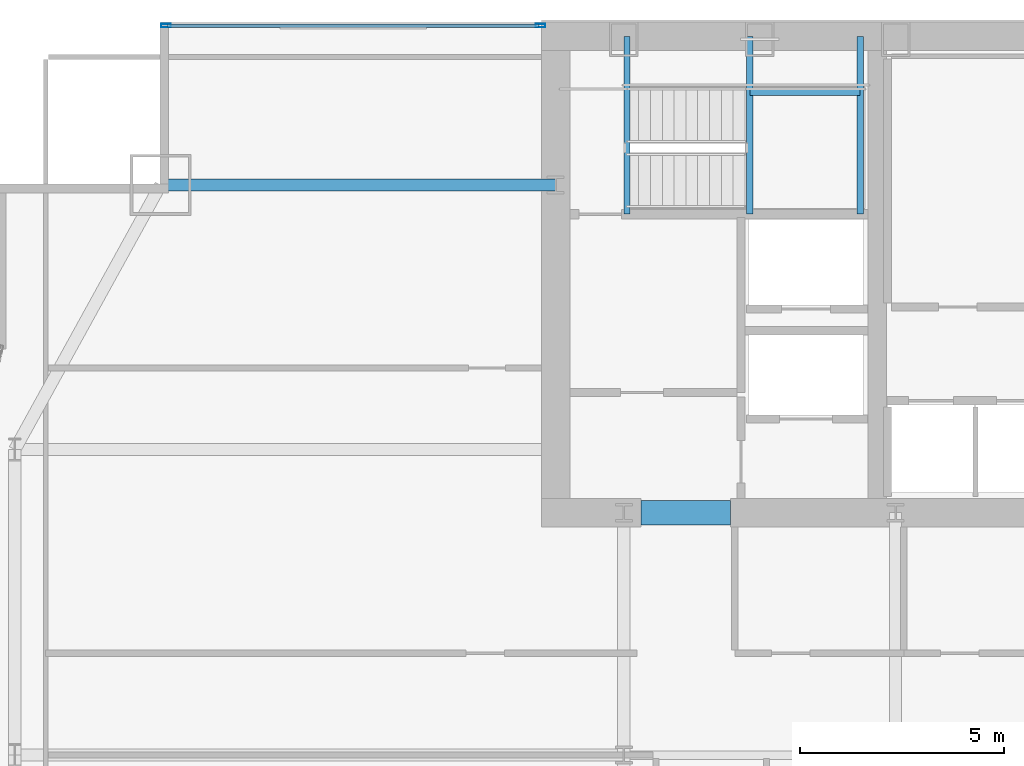
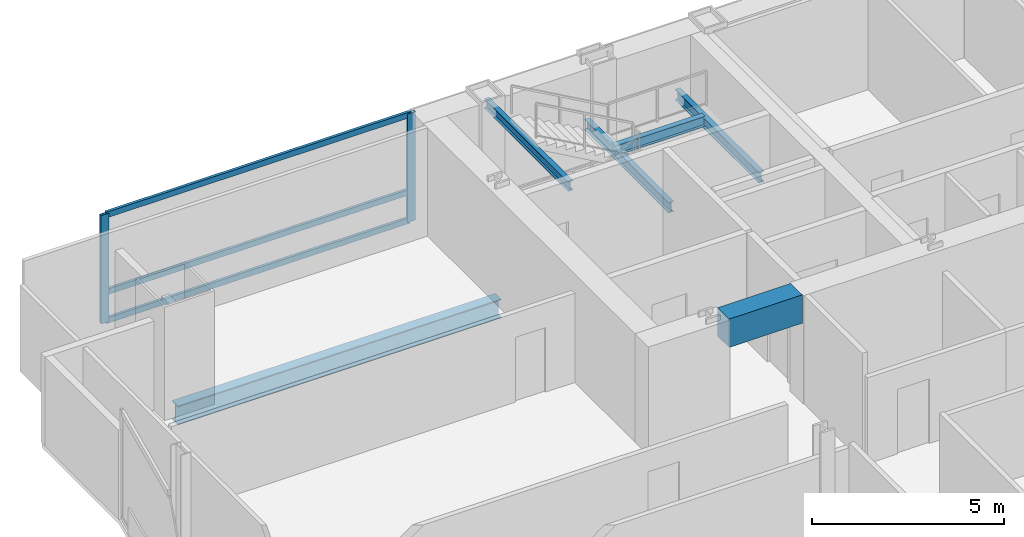
# One storey, part 18 of 33: 6 beams, 5 members, 1 element without a shape of its own.
"""IFC4 building model written with IfcOpenShell, lengths in metres."""

from ifc_helpers import new_model, si_unit, direction, frame, origin, origin_2d, place, context, subcontext, project, spatial, rectangle, hollow_rectangle, i_section, extrude, material, material_profile, profile_set, type_object, element, aggregate, save


model = new_model("IFC4")

# Units and contexts
model_context = context("Model", 3, precision=1e-05, world=origin(), true_north=direction((0.0, 1.0)))
body_context = subcontext(model_context, "Body", "Model", "MODEL_VIEW")
ifc_project = project(units=[si_unit("LENGTHUNIT", "METRE"), si_unit("AREAUNIT", "SQUARE_METRE"), si_unit("VOLUMEUNIT", "CUBIC_METRE"), si_unit("PLANEANGLEUNIT", "RADIAN"), si_unit("MASSUNIT", "GRAM", prefix="KILO")], contexts=[model_context])

# Site, building, storey
site_placement = place(None, origin())
site = spatial("IfcSite", under=ifc_project, at=site_placement, CompositionType="ELEMENT")
building_placement = place(site_placement, origin())
building = spatial("IfcBuilding", under=site, at=building_placement, Name="Khoronbel Lancet Exchange", CompositionType="ELEMENT")
storey_placement = place(building_placement, frame((0.0, 0.0, 114.60009765625)))
storey = spatial("IfcBuildingStorey", under=building, at=storey_placement, Name="L27", CompositionType="ELEMENT", Elevation=114.60009765625)

# Beams
ifc_material_1 = material(Name="Steel S355", Category="steel")
ifc_material_profile_1 = material_profile(ifc_material_1, i_section(OverallWidth=0.159912109375, OverallDepth=0.330078125, WebThickness=0.007568359375, FlangeThickness=0.011474609375, at=origin_2d()), Name="IPE 330")
ifc_profile_set_1 = profile_set([ifc_material_profile_1], Name="Steel S355")
beam_type_1 = type_object("IfcBeamType", Name="BM-BJ7", PredefinedType="JOIST", material=ifc_profile_set_1)
for number, where, z_axis, x_axis, name in (
    (1, (21.320068359375, 48.97998046875, 1.434814453125), (0.0, 1.0, 0.0), (-1.0, 0.0, 0.0), "Level L27 stair ST1 landing bearer beam 1"),
    (2, (24.030029296875, 48.97998046875, 1.434814453125), (0.0, 1.0, 0.0), (-1.0, 0.0, 0.0), "Level L27 stair ST1 rear landing bearer beam 1"),
):
    element("IfcBeam", number, at=place(storey_placement, frame(where, z_axis=z_axis, x_axis=x_axis)), inside=storey, type_object=beam_type_1, Name=name, PredefinedType="JOIST", context=body_context, shape_type="SweptSolid", body=[
        extrude(i_section(OverallWidth=0.159912109375, OverallDepth=0.330078125, WebThickness=0.007568359375, FlangeThickness=0.011474609375, at=origin_2d()), origin(), (0.0, 0.0, 1.0), 4.3701171875),
    ])
beam_1_placement = place(storey_placement, frame((21.320068359375, 51.97998046875, 1.434814453125), z_axis=(1.0, 0.0, 0.0), x_axis=(0.0, 1.0, 0.0)))
element("IfcBeam", 3, at=beam_1_placement, inside=storey, type_object=beam_type_1, Name="Level L27 stair ST1 landing cross trimmer beam 1", PredefinedType="JOIST", context=body_context, shape_type="SweptSolid", body=[
    extrude(i_section(OverallWidth=0.159912109375, OverallDepth=0.330078125, WebThickness=0.007568359375, FlangeThickness=0.011474609375, at=origin_2d()), origin(), (0.0, 0.0, 1.0), 2.7099609375),
])
ifc_material_profile_2 = material_profile(ifc_material_1, i_section(OverallWidth=0.14990234375, OverallDepth=0.300048828125, WebThickness=0.007080078125, FlangeThickness=0.0107421875, at=origin_2d()), Name="IPE 300")
ifc_profile_set_2 = profile_set([ifc_material_profile_2], Name="Steel S355")
beam_type_2 = type_object("IfcBeamType", Name="BM-BJ8", PredefinedType="JOIST", material=ifc_profile_set_2)
beam_2_placement = place(storey_placement, frame((18.300048828125, 48.97998046875, 3.159912109375), z_axis=(0.0, 1.0, 0.0), x_axis=(-1.0, 0.0, 0.0)))
element("IfcBeam", 4, at=beam_2_placement, inside=storey, type_object=beam_type_2, Name="Level L27 stair ST1 upper-flight arrival trimmer beam", PredefinedType="JOIST", context=body_context, shape_type="SweptSolid", body=[
    extrude(i_section(OverallWidth=0.14990234375, OverallDepth=0.300048828125, WebThickness=0.007080078125, FlangeThickness=0.0107421875, at=origin_2d()), origin(), (0.0, 0.0, 1.0), 4.3701171875),
])
ifc_material_2 = material(Name="Concrete C80/95", Category="concrete")
ifc_material_profile_3 = material_profile(ifc_material_2, rectangle(XDim=0.60009765625, YDim=0.89990234375, at=origin_2d()), Name="RC 600x900")
ifc_profile_set_3 = profile_set([ifc_material_profile_3], Name="Concrete C80/95")
beam_type_3 = type_object("IfcBeamType", Name="BM-BL1", PredefinedType="LINTEL", material=ifc_profile_set_3)
beam_3_placement = place(storey_placement, frame((18.64990234375, 41.64990234375, 2.989990234375), z_axis=(1.0, 0.0, 0.0), x_axis=(0.0, 1.0, 0.0)))
element("IfcBeam", 5, at=beam_3_placement, inside=storey, type_object=beam_type_3, Name="Level L27 rear core coupling lintel L1", PredefinedType="LINTEL", context=body_context, shape_type="SweptSolid", body=[
    extrude(rectangle(XDim=0.60009765625, YDim=0.89990234375, at=origin_2d()), origin(), (0.0, 0.0, 1.0), 2.2001953125),
])
ifc_material_profile_4 = material_profile(ifc_material_1, i_section(OverallWidth=0.300048828125, OverallDepth=0.60009765625, WebThickness=0.015380859375, FlangeThickness=0.030029296875, at=origin_2d()), Name="HEB 600")
ifc_profile_set_4 = profile_set([ifc_material_profile_4], Name="Steel S355")
beam_type_4 = type_object("IfcBeamType", Name="BM-BSP2", PredefinedType="SPANDREL", material=ifc_profile_set_4)
beam_4_placement = place(storey_placement, frame((6.85009765625, 49.699951171875, -0.460205078125), z_axis=(1.0, 0.0, 0.0), x_axis=(0.0, 1.0, 0.0)))
element("IfcBeam", 6, at=beam_4_placement, inside=storey, type_object=beam_type_4, Name="Level L27 north flank tie spandrel SP22", PredefinedType="SPANDREL", context=body_context, shape_type="SweptSolid", body=[
    extrude(i_section(OverallWidth=0.300048828125, OverallDepth=0.60009765625, WebThickness=0.015380859375, FlangeThickness=0.030029296875, at=origin_2d()), origin(), (0.0, 0.0, 1.0), 9.699951171875),
])

# Curtain wall, members
ifc_material_3 = material(Name="Low-E Solar Control Insulating Glass", Category="glass")
curtain_wall_type = type_object("IfcCurtainWallType", Name="CW-2", PredefinedType="NOTDEFINED", material=ifc_material_3)
curtain_wall_placement = place(storey_placement, origin())
curtain_wall = element("IfcCurtainWall", 7, at=curtain_wall_placement, inside=storey, type_object=curtain_wall_type, Name="Unitised curtain wall CW-L27-NWFLK", PredefinedType="NOTDEFINED")
ifc_material_4 = material(Name="Bronze-Anodised Aluminium 6063-T6", Category="aluminium")
ifc_material_profile_5 = material_profile(ifc_material_4, hollow_rectangle(XDim=0.0849609375, YDim=0.239990234375, WallThickness=0.006103515625, at=origin_2d()), Name="ALU MULLION 85x240")
ifc_profile_set_5 = profile_set([ifc_material_profile_5], Name="Bronze-Anodised Aluminium 6063-T6")
member_type_1 = type_object("IfcMemberType", Name="MEM-CWM1", PredefinedType="MULLION", material=ifc_profile_set_5)
member_1_placement = place(storey_placement, frame((16.177490234375, 53.610107421875, 0.0), z_axis=(0.0, 0.0, 1.0), x_axis=(0.0, -1.0, 0.0)))
member_1 = element("IfcMember", 8, at=member_1_placement, type_object=member_type_1, Name="CW2 mullion 1", PredefinedType="MULLION", context=body_context, shape_type="SweptSolid", body=[
    extrude(hollow_rectangle(XDim=0.0849609375, YDim=0.239990234375, WallThickness=0.006103515625, at=origin_2d()), origin(), (0.0, 0.0, 1.0), 3.43994140625),
])
member_2_placement = place(storey_placement, frame((6.982421875, 53.610107421875, 0.0), z_axis=(0.0, 0.0, 1.0), x_axis=(0.0, -1.0, 0.0)))
member_2 = element("IfcMember", 9, at=member_2_placement, type_object=member_type_1, Name="CW2 mullion 2", PredefinedType="MULLION", context=body_context, shape_type="SweptSolid", body=[
    extrude(hollow_rectangle(XDim=0.0849609375, YDim=0.239990234375, WallThickness=0.006103515625, at=origin_2d()), origin(), (0.0, 0.0, 1.0), 3.43994140625),
])
ifc_material_profile_6 = material_profile(ifc_material_4, hollow_rectangle(XDim=0.0849609375, YDim=0.179931640625, WallThickness=0.0048828125, at=origin_2d()), Name="ALU TRANSOM 85x180")
ifc_profile_set_6 = profile_set([ifc_material_profile_6], Name="Bronze-Anodised Aluminium 6063-T6")
member_type_2 = type_object("IfcMemberType", Name="MEM-CWT1", PredefinedType="USERDEFINED", material=ifc_profile_set_6)
member_3_placement = place(storey_placement, frame((16.135009765625, 53.610107421875, 0.04248046875), z_axis=(-1.0, 0.0, 0.0), x_axis=(0.0, -1.0, 0.0)))
member_3 = element("IfcMember", 10, at=member_3_placement, type_object=member_type_2, Name="CW2 transom 1.1", ObjectType="TRANSOM", PredefinedType="USERDEFINED", context=body_context, shape_type="SweptSolid", body=[
    extrude(hollow_rectangle(XDim=0.0849609375, YDim=0.179931640625, WallThickness=0.0048828125, at=origin_2d()), origin(), (0.0, 0.0, 1.0), 9.110107421875),
])
member_4_placement = place(storey_placement, frame((16.135009765625, 53.610107421875, 0.949951171875), z_axis=(-1.0, 0.0, 0.0), x_axis=(0.0, -1.0, 0.0)))
member_4 = element("IfcMember", 11, at=member_4_placement, type_object=member_type_2, Name="CW2 transom 1.2", ObjectType="TRANSOM", PredefinedType="USERDEFINED", context=body_context, shape_type="SweptSolid", body=[
    extrude(hollow_rectangle(XDim=0.0849609375, YDim=0.179931640625, WallThickness=0.0048828125, at=origin_2d()), origin(), (0.0, 0.0, 1.0), 9.110107421875),
])
member_5_placement = place(storey_placement, frame((16.135009765625, 53.610107421875, 3.3974609375), z_axis=(-1.0, 0.0, 0.0), x_axis=(0.0, -1.0, 0.0)))
member_5 = element("IfcMember", 12, at=member_5_placement, type_object=member_type_2, Name="CW2 transom 1.3", ObjectType="TRANSOM", PredefinedType="USERDEFINED", context=body_context, shape_type="SweptSolid", body=[
    extrude(hollow_rectangle(XDim=0.0849609375, YDim=0.179931640625, WallThickness=0.0048828125, at=origin_2d()), origin(), (0.0, 0.0, 1.0), 9.110107421875),
])
aggregate(curtain_wall, [member_1, member_2, member_3, member_4, member_5])

save(model, "model.ifc")
